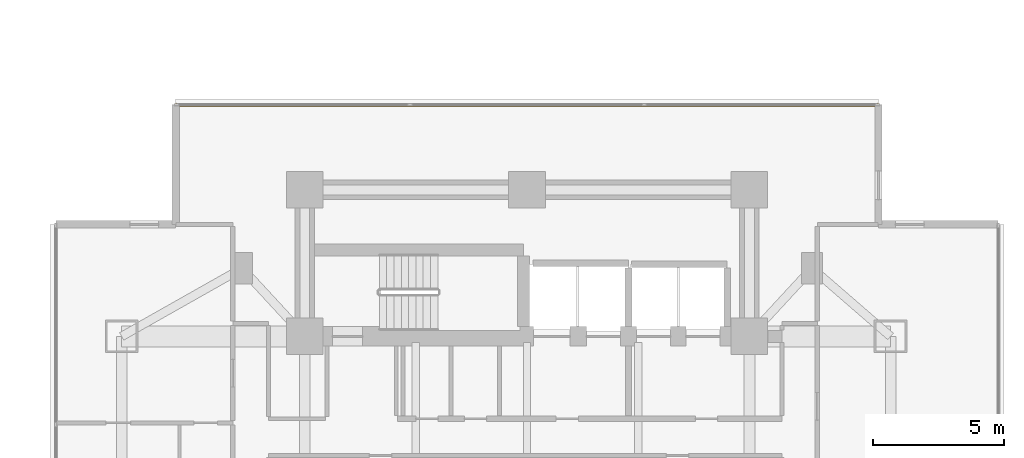
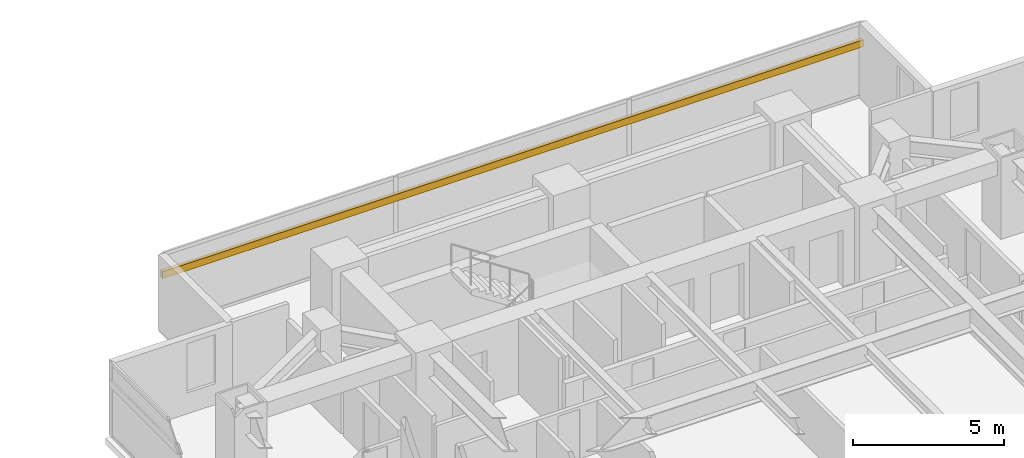
# One storey, part 26 of 26: 1 shading device.
"""IFC4 building model written with IfcOpenShell, lengths in metres."""

from ifc_helpers import new_model, si_unit, direction, frame, origin, origin_2d, place, context, subcontext, project, spatial, rectangle, extrude, material, material_profile, profile_set, type_object, element, save


model = new_model("IFC4")

# Units and contexts
model_context = context("Model", 3, precision=1e-05, world=origin(), true_north=direction((0.0, 1.0)))
body_context = subcontext(model_context, "Body", "Model", "MODEL_VIEW")
ifc_project = project(units=[si_unit("LENGTHUNIT", "METRE"), si_unit("AREAUNIT", "SQUARE_METRE"), si_unit("VOLUMEUNIT", "CUBIC_METRE"), si_unit("PLANEANGLEUNIT", "RADIAN"), si_unit("MASSUNIT", "GRAM", prefix="KILO")], contexts=[model_context])

# Site, building, storey
site_placement = place(None, origin())
site = spatial("IfcSite", under=ifc_project, at=site_placement, CompositionType="ELEMENT")
building_placement = place(site_placement, origin())
building = spatial("IfcBuilding", under=site, at=building_placement, Name="Mirazonda Arch Towers", CompositionType="ELEMENT")
storey_placement = place(building_placement, frame((0.0, 0.0, 25.699951171875)))
storey = spatial("IfcBuildingStorey", under=building, at=storey_placement, Name="L06", CompositionType="ELEMENT", Elevation=25.699951171875)

# Shading device
ifc_material = material(Name="Kiln-Fired Architectural Terracotta", Category="masonry")
ifc_material_profile = material_profile(ifc_material, rectangle(XDim=0.139892578125, YDim=0.280029296875, at=origin_2d()), Name="TERRA-BAG-140x280")
ifc_profile_set = profile_set([ifc_material_profile], Name="Kiln-Fired Architectural Terracotta")
shading_device_type = type_object("IfcShadingDeviceType", Name="BAGUETTE-3", PredefinedType="USERDEFINED", material=ifc_profile_set)
shading_device_placement = place(storey_placement, frame((63.06201171875, 44.063232421875, 2.18896484375), z_axis=(1.0, 0.0, 0.0), x_axis=(0.0, 1.0, 0.0)))
element("IfcShadingDevice", 1, at=shading_device_placement, inside=storey, type_object=shading_device_type, Name="L06 Glazed Terracotta Sun-Screen Baguette CW-L06-T2-N", ObjectType="BAGUETTE", PredefinedType="USERDEFINED", context=body_context, shape_type="SweptSolid", body=[
    extrude(rectangle(XDim=0.139892578125, YDim=0.280029296875, at=origin_2d()), origin(), (0.0, 0.0, 1.0), 26.8759765625),
])

save(model, "model.ifc")
